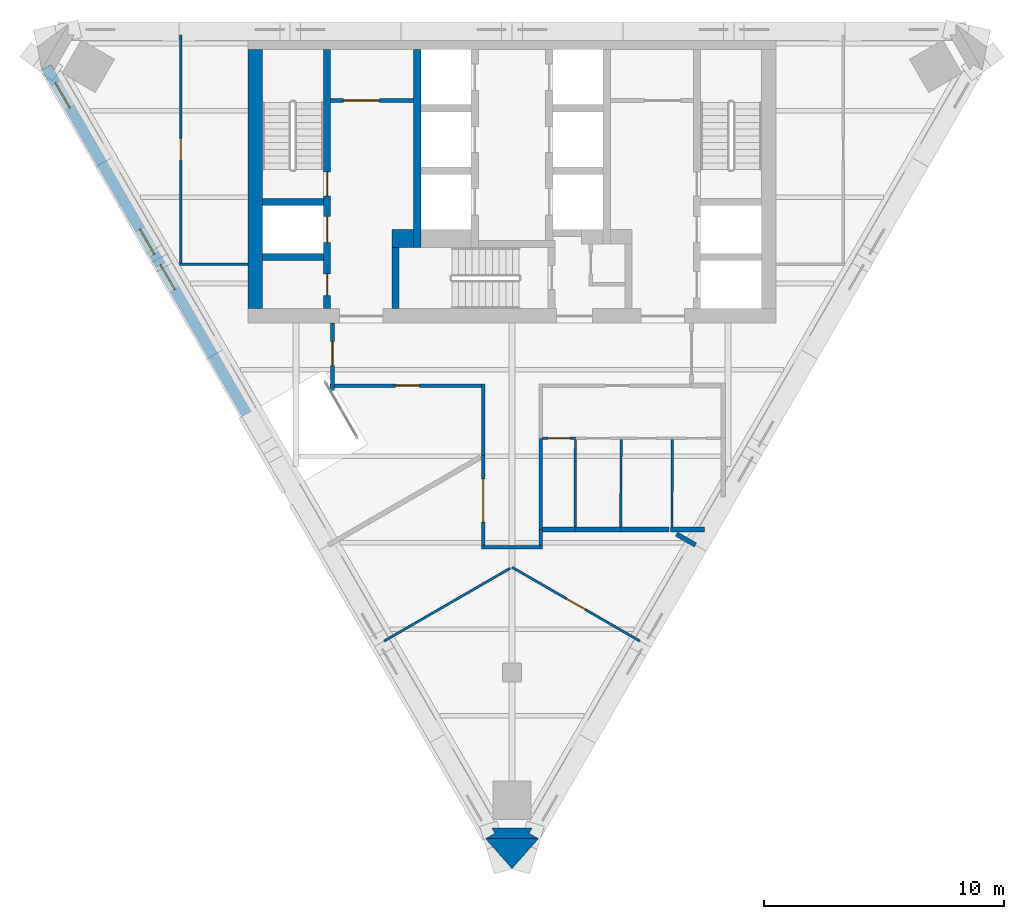
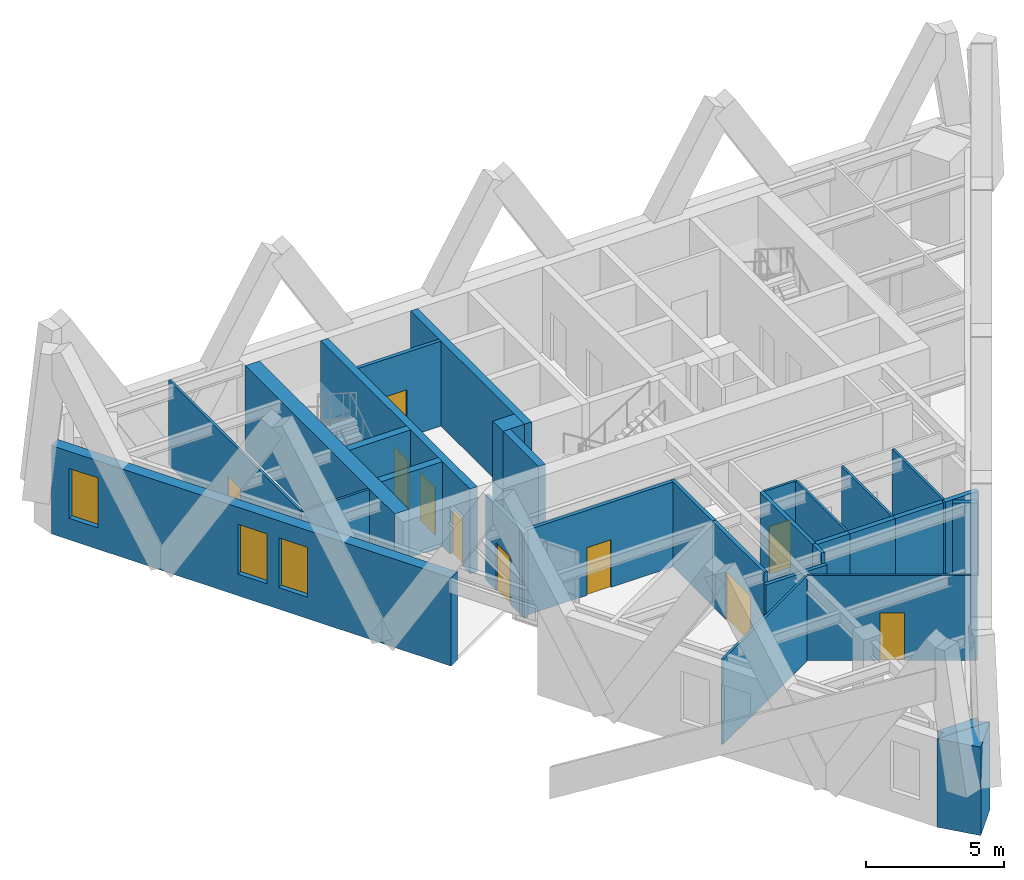
# One storey, part 4 of 8: 31 walls, 10 doors, 3 windows, 13 openings.
"""IFC4 building model written with IfcOpenShell, lengths in metres."""

import ifcopenshell
import ifcopenshell.guid

model = None  # the IFC model being written
_history = None  # IfcOwnerHistory: only IFC2X3 demands one
_inside = {}  # id of a spatial element -> (the spatial element, [elements in it])
_under = {}  # id of a project, library or spatial element -> (it, [spatial elements below it])
_declared = {}  # id of a project -> (the project, [libraries it declares])
_typed = {}  # id of a type object -> (the type object, [elements of that type])
_made_of = {}  # id of a material, layer set ... -> (it, [elements and type objects made of it])


def new_model(schema):
    """Start an empty IFC model of exactly this schema.

    Asked for "IFC4X3", IfcOpenShell would pick the latest addendum, in which some entities
    have other attributes; the version numbers below select the first issue.
    IFC2X3 requires an IfcOwnerHistory on every rooted entity: one is made here for all.
    """
    global model, _history
    if schema == "IFC4X3":
        model = ifcopenshell.file(schema_version=(4, 3, 0, 0))
    else:
        model = ifcopenshell.file(schema=schema)
    _inside.clear()
    _under.clear()
    _declared.clear()
    _typed.clear()
    _made_of.clear()
    _history = None
    if model.schema == "IFC2X3":
        org = make("IfcOrganization", Name="unknown")
        user = make(
            "IfcPersonAndOrganization",
            ThePerson=make("IfcPerson", FamilyName="unknown"),
            TheOrganization=org,
        )
        app = make(
            "IfcApplication",
            ApplicationDeveloper=org,
            Version="unknown",
            ApplicationFullName="unknown",
            ApplicationIdentifier="unknown",
        )
        _history = make(
            "IfcOwnerHistory",
            OwningUser=user,
            OwningApplication=app,
            ChangeAction="ADDED",
            CreationDate=0,
        )
    return model


def make(cls, **values):
    """One entity of the class cls with the attributes given. An attribute that is None is left unset."""
    return model.create_entity(
        cls, **{name: value for name, value in values.items() if value is not None}
    )


def rooted(cls, **values):
    """An entity with a GlobalId (a new one), such as an element, a storey or a relation."""
    return make(cls, GlobalId=ifcopenshell.guid.new(), OwnerHistory=_history, **values)


def si_unit(unit_type, name, prefix=None):
    """IfcSIUnit, for example si_unit("LENGTHUNIT", "METRE", prefix="MILLI")."""
    return make("IfcSIUnit", UnitType=unit_type, Prefix=prefix, Name=name)


def assignment(units):
    """IfcUnitAssignment: the units of a project."""
    return None if units is None else make("IfcUnitAssignment", Units=units)


def point(xyz):
    """IfcCartesianPoint."""
    return None if xyz is None else make("IfcCartesianPoint", Coordinates=xyz)


def direction(xyz):
    """IfcDirection."""
    return None if xyz is None else make("IfcDirection", DirectionRatios=xyz)


def frame(location, z_axis=None, x_axis=None):
    """IfcAxis2Placement3D, a coordinate frame: its origin and axes. An axis left out is left unset."""
    return make(
        "IfcAxis2Placement3D",
        Location=point(location),
        Axis=direction(z_axis),
        RefDirection=direction(x_axis),
    )


def frame_2d(location, x_axis=None):
    """IfcAxis2Placement2D, a coordinate frame in the plane: its origin and x axis."""
    return make(
        "IfcAxis2Placement2D", Location=point(location), RefDirection=direction(x_axis)
    )


def origin():
    """The frame at (0, 0, 0) with its axes left unset."""
    return frame((0.0, 0.0, 0.0))


def place(relative_to, where):
    """IfcLocalPlacement: puts the frame where relative to a parent placement (None: the world)."""
    return make(
        "IfcLocalPlacement", PlacementRelTo=relative_to, RelativePlacement=where
    )


def context(
    kind, dimensions, precision=None, world=None, true_north=None, identifier=None
):
    """IfcGeometricRepresentationContext, for example the 3D "Model" context."""
    return make(
        "IfcGeometricRepresentationContext",
        ContextIdentifier=identifier,
        ContextType=kind,
        CoordinateSpaceDimension=dimensions,
        Precision=precision,
        WorldCoordinateSystem=world,
        TrueNorth=true_north,
    )


def subcontext(parent, identifier, kind, view, scale=None):
    """IfcGeometricRepresentationSubContext, for example "Body" below "Model"."""
    return make(
        "IfcGeometricRepresentationSubContext",
        ContextIdentifier=identifier,
        ContextType=kind,
        ParentContext=parent,
        TargetScale=scale,
        TargetView=view,
    )


def project(units=None, contexts=None):
    """IfcProject with its units and contexts."""
    return rooted(
        "IfcProject",
        Name="project",
        RepresentationContexts=contexts,
        UnitsInContext=assignment(units),
    )


def spatial(cls, under=None, at=None, **own):
    """A site, building, storey or space (cls), placed at a placement, below another one or the project."""
    s = rooted(cls, ObjectPlacement=at, **own)
    if under is not None:
        _under.setdefault(under.id(), (under, []))[1].append(s)
    return s


def polyline(points):
    """IfcPolyline through the points."""
    return make("IfcPolyline", Points=[point(p) for p in points])


def profile(cls, at=None, kind="AREA", **sizes):
    """A parametric profile (cls). Its sizes go by their IFC names, for example OverallWidth=200.0."""
    return make(cls, ProfileType=kind, Position=at, **sizes)


def rectangle(**sizes):
    """IfcRectangleProfileDef."""
    return profile("IfcRectangleProfileDef", **sizes)


def outline(outer, holes=None, kind="AREA"):
    """IfcArbitraryClosedProfileDef: a profile drawn as a closed curve; with holes, ...WithVoids."""
    if holes is None:
        return make("IfcArbitraryClosedProfileDef", ProfileType=kind, OuterCurve=outer)
    return make(
        "IfcArbitraryProfileDefWithVoids",
        ProfileType=kind,
        OuterCurve=outer,
        InnerCurves=holes,
    )


def extrude(swept, where, along, depth):
    """IfcExtrudedAreaSolid: the profile swept, set in the frame where, extruded along a direction by depth."""
    return make(
        "IfcExtrudedAreaSolid",
        SweptArea=swept,
        Position=where,
        ExtrudedDirection=direction(along),
        Depth=depth,
    )


def shape(context_of_items, identifier, shape_type, items):
    """IfcShapeRepresentation: the items that make up one representation, for example the "Body"."""
    return make(
        "IfcShapeRepresentation",
        ContextOfItems=context_of_items,
        RepresentationIdentifier=identifier,
        RepresentationType=shape_type,
        Items=items,
    )


def material(Name=None, Category=None):
    """IfcMaterial."""
    return make("IfcMaterial", Name=Name, Category=Category)


def layer(
    of_material, thickness, ventilated=None, Name=None, Category=None, Priority=None
):
    """IfcMaterialLayer: one layer of a wall or slab, of a material (None: an air gap)."""
    return make(
        "IfcMaterialLayer",
        Material=of_material,
        LayerThickness=thickness,
        IsVentilated=ventilated,
        Name=Name,
        Category=Category,
        Priority=Priority,
    )


def layer_set(layers, Name=None):
    """IfcMaterialLayerSet."""
    return make("IfcMaterialLayerSet", MaterialLayers=layers, LayerSetName=Name)


def made_of(thing, what):
    """Note that an element or type object is made of a material, layer set ...; save() writes the relation."""
    if what is not None:
        _made_of.setdefault(what.id(), (what, []))[1].append(thing)
    return thing


def type_object(cls, material=None, **own):
    """A type object (cls), such as IfcWallType, which elements share."""
    return made_of(rooted(cls, **own), material)


def element(
    cls,
    number,
    at=None,
    inside=None,
    cuts=None,
    type_object=None,
    material=None,
    context=None,
    identifier="Body",
    shape_type=None,
    held_by="IfcProductDefinitionShape",
    body=None,
    shapes=None,
    **own,
):
    """One element of the class cls, such as IfcWall. Its Tag is "e" and its number.

    at: its placement. inside: the storey or other place that contains it. cuts: it is an
    opening in that element (IfcRelVoidsElement). A single representation is given by context,
    identifier, shape_type and body (its items); several are given by shapes. held_by: the class
    of the entity that holds the representations. save() writes the other relations.
    """
    e = rooted(cls, Tag="e%d" % number, ObjectPlacement=at, **own)
    if body is not None:
        shapes = [shape(context, identifier, shape_type, body)]
    if shapes is not None:
        e.Representation = make(held_by, Representations=shapes)
    if inside is not None:
        _inside.setdefault(inside.id(), (inside, []))[1].append(e)
    if cuts is not None:
        rooted(
            "IfcRelVoidsElement", RelatingBuildingElement=cuts, RelatedOpeningElement=e
        )
    if type_object is not None:
        _typed.setdefault(type_object.id(), (type_object, []))[1].append(e)
    return made_of(e, material)


def fill(opening, filler):
    """IfcRelFillsElement: the door or window that sits in an opening."""
    return rooted(
        "IfcRelFillsElement",
        RelatingOpeningElement=opening,
        RelatedBuildingElement=filler,
    )


def aggregate(whole, parts):
    """IfcRelAggregates: a whole, such as a stair, and the parts it consists of."""
    return rooted("IfcRelAggregates", RelatingObject=whole, RelatedObjects=parts)


def save(model, path):
    """Write the relations noted so far, then the file.

    IfcRelAggregates (storeys below a building ...), IfcRelContainedInSpatialStructure (elements
    in a storey), IfcRelDefinesByType, IfcRelAssociatesMaterial and IfcRelDeclares: one each for
    every whole, place, type object, material and project.
    """
    for whole, parts in _under.values():
        aggregate(whole, parts)
    for where, things in _inside.values():
        rooted(
            "IfcRelContainedInSpatialStructure",
            RelatedElements=things,
            RelatingStructure=where,
        )
    for kind, things in _typed.values():
        rooted("IfcRelDefinesByType", RelatedObjects=things, RelatingType=kind)
    for what, things in _made_of.values():
        rooted("IfcRelAssociatesMaterial", RelatedObjects=things, RelatingMaterial=what)
    for by, libraries in _declared.values():
        rooted("IfcRelDeclares", RelatingContext=by, RelatedDefinitions=libraries)
    model.write(path)


model = new_model("IFC4")

# Units and contexts
model_context = context("Model", 3, precision=1e-05, world=origin(), true_north=direction((0.0, 1.0)))
body_context = subcontext(model_context, "Body", "Model", "MODEL_VIEW")
ifc_project = project(units=[si_unit("LENGTHUNIT", "METRE"), si_unit("AREAUNIT", "SQUARE_METRE"), si_unit("VOLUMEUNIT", "CUBIC_METRE"), si_unit("PLANEANGLEUNIT", "RADIAN"), si_unit("MASSUNIT", "GRAM", prefix="KILO")], contexts=[model_context])

# Site, building, storey
site_placement = place(None, origin())
site = spatial("IfcSite", under=ifc_project, at=site_placement, CompositionType="ELEMENT")
building_placement = place(site_placement, origin())
building = spatial("IfcBuilding", under=site, at=building_placement, Name="Aloe Facet Convention Tower", CompositionType="ELEMENT")
storey_placement = place(building_placement, frame((0.0, 0.0, 262.10009765625)))
storey = spatial("IfcBuildingStorey", under=building, at=storey_placement, Name="L64", CompositionType="ELEMENT", Elevation=262.10009765625)

# Wall, opening, door
ifc_material_1 = material(Name="Concrete blockwork partition", Category="masonry")
ifc_layer_1 = layer(ifc_material_1, 0.14990234375)
ifc_layer_set_1 = layer_set([ifc_layer_1], Name="CR-W-PART150")
wall_type_1 = type_object("IfcWallType", Name="CR-W-PART150", PredefinedType="PARTITIONING", material=ifc_layer_set_1)
wall_1_placement = place(storey_placement, frame((72.449951171875, 131.824951171875, 0.0), z_axis=(0.0, 0.0, 1.0), x_axis=(1.0, 0.0, 0.0)))
wall_1 = element("IfcWall", 1, at=wall_1_placement, inside=storey, type_object=wall_type_1, Name="Core partition L64-007", PredefinedType="PARTITIONING", context=body_context, shape_type="SweptSolid", body=[
    extrude(rectangle(XDim=3.449951171875, YDim=0.14990234375, at=frame_2d((1.72509765625, 0.0))), origin(), (0.0, 0.0, 1.0), 3.75),
])
opening_1_placement = place(wall_1_placement, frame((0.52490234375, 0.0, 0.0)))
opening_1 = element("IfcOpeningElement", 2, at=opening_1_placement, cuts=wall_1, Name="Opening L64-CD14", PredefinedType="OPENING", context=body_context, shape_type="SweptSolid", body=[
    extrude(rectangle(XDim=1.5, YDim=2.10009765625, at=frame_2d((0.75, 1.050048828125))), frame((0.0, 0.0849609375, 0.0), z_axis=(0.0, -1.0, 0.0), x_axis=(1.0, 0.0, 0.0)), (0.0, 0.0, 1.0), 0.169921875),
])
ifc_material_2 = material(Name="Steel fire-resisting door set FD60", Category="steel")
door_type_1 = type_object("IfcDoorType", Name="CR-D-REFUGE-1500-FD60-DD", OperationType="DOUBLE_DOOR_DOUBLE_SWING", PredefinedType="DOOR", material=ifc_material_2)
door_1_placement = place(opening_1_placement, origin())
door_1 = element("IfcDoor", 3, at=door_1_placement, inside=storey, type_object=door_type_1, Name="Core door L64-CD14", OperationType="DOUBLE_DOOR_DOUBLE_SWING", OverallHeight=2.10009765625, OverallWidth=1.5, PredefinedType="DOOR", context=body_context, shape_type="SweptSolid", body=[
    extrude(rectangle(XDim=1.5, YDim=2.10009765625, at=frame_2d((0.75, 1.050048828125))), frame((0.0, 0.02490234375, 0.0), z_axis=(0.0, -1.0, 0.0), x_axis=(1.0, 0.0, 0.0)), (0.0, 0.0, 1.0), 0.050048828125),
])
fill(opening_1, door_1)

# Walls
ifc_material_3 = material(Name="Concrete C50/60", Category="concrete")
ifc_layer_2 = layer(ifc_material_3, 0.300048828125)
ifc_layer_set_2 = layer_set([ifc_layer_2], Name="CR-W-RC300-C5060")
wall_type_2 = type_object("IfcWallType", Name="CR-W-RC300-C5060", PredefinedType="SOLIDWALL", material=ifc_layer_set_2)
for number, where, z_axis, x_axis, name in (
    (4, (69.60009765625, 127.60009765625, 0.0), (0.0, 0.0, 1.0), (1.0, 0.0, 0.0), "Core wall L64-004"),
    (5, (69.60009765625, 125.300048828125, 0.0), (0.0, 0.0, 1.0), (1.0, 0.0, 0.0), "Core wall L64-005"),
):
    element("IfcWall", number, at=place(storey_placement, frame(where, z_axis=z_axis, x_axis=x_axis)), inside=storey, type_object=wall_type_2, Name=name, PredefinedType="SOLIDWALL", context=body_context, shape_type="SweptSolid", body=[
        extrude(rectangle(XDim=2.5498046875, YDim=0.300048828125, at=frame_2d((1.27490234375, 0.0))), origin(), (0.0, 0.0, 1.0), 3.75),
    ])

# Wall, openings, doors
wall_2_placement = place(storey_placement, frame((72.300048828125, 133.949951171875, 0.0), z_axis=(0.0, 0.0, 1.0), x_axis=(0.0, -1.0, 0.0)))
wall_2 = element("IfcWall", 6, at=wall_2_placement, inside=storey, type_object=wall_type_2, Name="Core wall L64-006", PredefinedType="SOLIDWALL", context=body_context, shape_type="SweptSolid", body=[
    extrude(rectangle(XDim=10.800048828125, YDim=0.300048828125, at=frame_2d((5.39990234375, 0.0))), origin(), (0.0, 0.0, 1.0), 3.75),
])
opening_2_placement = place(wall_2_placement, frame((6.949951171875, 0.0, 0.0)))
opening_2 = element("IfcOpeningElement", 7, at=opening_2_placement, cuts=wall_2, Name="Opening LD-FF1-L64", PredefinedType="OPENING", context=body_context, shape_type="SweptSolid", body=[
    extrude(rectangle(XDim=1.10009765625, YDim=2.10009765625, at=frame_2d((0.550048828125, 1.050048828125))), frame((0.0, 0.16015625, 0.0), z_axis=(0.0, -1.0, 0.0), x_axis=(1.0, 0.0, 0.0)), (0.0, 0.0, 1.0), 0.320068359375),
])
opening_3_placement = place(wall_2_placement, frame((9.35009765625, 0.0, 0.0)))
opening_3 = element("IfcOpeningElement", 8, at=opening_3_placement, cuts=wall_2, Name="Opening L64-CD15", PredefinedType="OPENING", context=body_context, shape_type="SweptSolid", body=[
    extrude(rectangle(XDim=0.89990234375, YDim=2.10009765625, at=frame_2d((0.449951171875, 1.050048828125))), frame((0.0, 0.16015625, 0.0), z_axis=(0.0, -1.0, 0.0), x_axis=(1.0, 0.0, 0.0)), (0.0, 0.0, 1.0), 0.320068359375),
])
opening_4_placement = place(wall_2_placement, frame((5.10009765625, 0.0, 0.0)))
opening_4 = element("IfcOpeningElement", 9, at=opening_4_placement, cuts=wall_2, Name="Opening L64-CD16", PredefinedType="OPENING", context=body_context, shape_type="SweptSolid", body=[
    extrude(rectangle(XDim=1.0, YDim=2.10009765625, at=frame_2d((0.5, 1.050048828125))), frame((0.0, 0.16015625, 0.0), z_axis=(0.0, -1.0, 0.0), x_axis=(1.0, 0.0, 0.0)), (0.0, 0.0, 1.0), 0.320068359375),
])
ifc_material_4 = material(Name="Steel fire-resisting door set FD60", Category="steel")
door_type_2 = type_object("IfcDoorType", Name="CR-D-ROOM-900-FD60-SLEFT", OperationType="SINGLE_SWING_LEFT", PredefinedType="DOOR", material=ifc_material_4)
door_2_placement = place(opening_3_placement, origin())
door_2 = element("IfcDoor", 10, at=door_2_placement, inside=storey, type_object=door_type_2, Name="Core door L64-CD15", OperationType="SINGLE_SWING_LEFT", OverallHeight=2.10009765625, OverallWidth=0.89990234375, PredefinedType="DOOR", context=body_context, shape_type="SweptSolid", body=[
    extrude(rectangle(XDim=0.89990234375, YDim=2.10009765625, at=frame_2d((0.449951171875, 1.050048828125))), frame((0.0, 0.02490234375, 0.0), z_axis=(0.0, -1.0, 0.0), x_axis=(1.0, 0.0, 0.0)), (0.0, 0.0, 1.0), 0.050048828125),
])
fill(opening_3, door_2)
ifc_material_5 = material(Name="Steel fire-resisting door set FD120", Category="steel")
door_type_3 = type_object("IfcDoorType", Name="CR-D-STAIR-1000-FD120-SRIGHT", OperationType="SINGLE_SWING_RIGHT", PredefinedType="DOOR", material=ifc_material_5)
door_3_placement = place(opening_4_placement, origin())
door_3 = element("IfcDoor", 11, at=door_3_placement, inside=storey, type_object=door_type_3, Name="Core door L64-CD16", OperationType="SINGLE_SWING_RIGHT", OverallHeight=2.10009765625, OverallWidth=1.0, PredefinedType="DOOR", context=body_context, shape_type="SweptSolid", body=[
    extrude(rectangle(XDim=1.0, YDim=2.10009765625, at=frame_2d((0.5, 1.050048828125))), frame((0.0, 0.02490234375, 0.0), z_axis=(0.0, -1.0, 0.0), x_axis=(1.0, 0.0, 0.0)), (0.0, 0.0, 1.0), 0.050048828125),
])
fill(opening_4, door_3)
ifc_material_6 = material(Name="Stainless steel sliding landing door", Category="steel")
door_type_4 = type_object("IfcDoorType", Name="CR-LD-1100-FD120-_LEFT", OperationType="SLIDING_TO_LEFT", PredefinedType="DOOR", material=ifc_material_6)
door_4_placement = place(opening_2_placement, origin())
door_4 = element("IfcDoor", 12, at=door_4_placement, inside=storey, type_object=door_type_4, Name="Landing door FF1 L64", OperationType="SLIDING_TO_LEFT", OverallHeight=2.10009765625, OverallWidth=1.10009765625, PredefinedType="DOOR", context=body_context, shape_type="SweptSolid", body=[
    extrude(rectangle(XDim=1.10009765625, YDim=2.10009765625, at=frame_2d((0.550048828125, 1.050048828125))), frame((0.0, 0.02490234375, 0.0), z_axis=(0.0, -1.0, 0.0), x_axis=(1.0, 0.0, 0.0)), (0.0, 0.0, 1.0), 0.050048828125),
])
fill(opening_2, door_4)

# Walls
wall_3_placement = place(storey_placement, frame((75.14990234375, 125.699951171875, 0.0), z_axis=(0.0, 0.0, 1.0), x_axis=(0.0, -1.0, 0.0)))
element("IfcWall", 13, at=wall_3_placement, inside=storey, type_object=wall_type_2, Name="Core wall L64-009", PredefinedType="SOLIDWALL", context=body_context, shape_type="SweptSolid", body=[
    extrude(rectangle(XDim=2.550048828125, YDim=0.300048828125, at=frame_2d((1.27490234375, 0.0))), origin(), (0.0, 0.0, 1.0), 3.75),
])
wall_4_placement = place(storey_placement, frame((76.050048828125, 133.949951171875, 0.0), z_axis=(0.0, 0.0, 1.0), x_axis=(0.0, -1.0, 0.0)))
element("IfcWall", 14, at=wall_4_placement, inside=storey, type_object=wall_type_2, Name="Core wall L64-010", PredefinedType="SOLIDWALL", context=body_context, shape_type="SweptSolid", body=[
    extrude(rectangle(XDim=8.25, YDim=0.300048828125, at=frame_2d((4.125, 0.0))), origin(), (0.0, 0.0, 1.0), 3.75),
])
ifc_material_7 = material(Name="Concrete C50/60", Category="concrete")
ifc_layer_3 = layer(ifc_material_7, 0.60009765625)
ifc_layer_set_3 = layer_set([ifc_layer_3], Name="CR-W-RC600-C5060")
wall_type_3 = type_object("IfcWallType", Name="CR-W-RC600-C5060", PredefinedType="SOLIDWALL", material=ifc_layer_set_3)
wall_5_placement = place(storey_placement, frame((69.300048828125, 133.949951171875, 0.0), z_axis=(0.0, 0.0, 1.0), x_axis=(0.0, -1.0, 0.0)))
element("IfcWall", 15, at=wall_5_placement, inside=storey, type_object=wall_type_3, Name="Core wall L64-002", PredefinedType="SOLIDWALL", context=body_context, shape_type="SweptSolid", body=[
    extrude(rectangle(XDim=10.800048828125, YDim=0.60009765625, at=frame_2d((5.39990234375, 0.0))), origin(), (0.0, 0.0, 1.0), 3.75),
])
ifc_material_8 = material(Name="Concrete C50/60", Category="concrete")
ifc_layer_4 = layer(ifc_material_8, 0.75)
ifc_layer_set_4 = layer_set([ifc_layer_4], Name="CR-W-RC750-C5060")
wall_type_4 = type_object("IfcWallType", Name="CR-W-RC750-C5060", PredefinedType="SOLIDWALL", material=ifc_layer_set_4)
wall_6_placement = place(storey_placement, frame((75.0, 126.074951171875, 0.0), z_axis=(0.0, 0.0, 1.0), x_axis=(1.0, 0.0, 0.0)))
element("IfcWall", 16, at=wall_6_placement, inside=storey, type_object=wall_type_4, Name="Core wall L64-008", PredefinedType="SOLIDWALL", context=body_context, shape_type="SweptSolid", body=[
    extrude(rectangle(XDim=0.89990234375, YDim=0.75, at=frame_2d((0.449951171875, 0.0))), origin(), (0.0, 0.0, 1.0), 3.75),
])
ifc_material_9 = material(Name="Precast concrete C40/50", Category="concrete")
ifc_layer_5 = layer(ifc_material_9, 0.449951171875)
ifc_layer_set_5 = layer_set([ifc_layer_5], Name="EV-WALL-PIER")
wall_type_5 = type_object("IfcWallType", Name="EV-WALL-PIER", PredefinedType="SOLIDWALL", material=ifc_layer_set_5)
wall_7_placement = place(storey_placement, frame((0.0, 0.0, -0.150146484375)))
element("IfcWall", 17, at=wall_7_placement, inside=storey, type_object=wall_type_5, Name="EP-L64-B", PredefinedType="SOLIDWALL", context=body_context, shape_type="SweptSolid", body=[
    extrude(outline(polyline([(78.89990234375, 101.07568359375), (79.289794921875, 101.30078125), (79.159912109375, 101.52587890625), (80.840087890625, 101.52587890625), (80.710205078125, 101.30078125), (81.10009765625, 101.07568359375), (78.89990234375, 101.07568359375)])), origin(), (0.0, 0.0, 1.0), 3.900146484375),
])
ifc_material_10 = material(Name="Precast concrete C40/50", Category="concrete")
ifc_layer_6 = layer(ifc_material_10, 3.947998046875)
ifc_layer_set_6 = layer_set([ifc_layer_6], Name="EV-WALL-SPINE")
wall_type_6 = type_object("IfcWallType", Name="EV-WALL-SPINE", PredefinedType="SOLIDWALL", material=ifc_layer_set_6)
wall_8_placement = place(storey_placement, frame((0.0, 0.0, -0.150146484375)))
element("IfcWall", 18, at=wall_8_placement, inside=storey, type_object=wall_type_6, Name="SP-S-L64", PredefinedType="SOLIDWALL", context=body_context, shape_type="SweptSolid", body=[
    extrude(outline(polyline([(78.89990234375, 101.07568359375), (80.0, 99.826416015625), (81.10009765625, 101.07568359375), (78.89990234375, 101.07568359375)])), origin(), (0.0, 0.0, 1.0), 3.900146484375),
])

# Wall, openings, windows
ifc_material_11 = material(Name="Precast concrete C40/50", Category="concrete")
ifc_layer_7 = layer(ifc_material_11, 0.449951171875)
ifc_layer_set_7 = layer_set([ifc_layer_7], Name="EV-WALL-STONE")
wall_type_7 = type_object("IfcWallType", Name="EV-WALL-STONE", PredefinedType="SOLIDWALL", material=ifc_layer_set_7)
wall_9_placement = place(storey_placement, frame((60.608642578125, 133.207275390625, -0.150146484375), z_axis=(0.0, 0.0, 1.0), x_axis=(0.499996022837, -0.866027699989, 0.0)))
wall_9 = element("IfcWall", 19, at=wall_9_placement, inside=storey, type_object=wall_type_7, Name="EW-L64-W01", PredefinedType="SOLIDWALL", context=body_context, shape_type="SweptSolid", body=[
    extrude(outline(polyline([(0.0, 0.0), (0.0, 3.900146484375), (16.68603515625, 3.900146484375), (16.68603515625, 0.0), (0.0, 0.0)])), frame((0.0, 0.22509765625, 0.0), z_axis=(0.0, -1.0, 0.0), x_axis=(1.0, 0.0, 0.0)), (0.0, 0.0, 1.0), 0.449951171875),
])
opening_5_placement = place(wall_9_placement, frame((0.744140625, 0.0, 0.949951171875)))
opening_5 = element("IfcOpeningElement", 20, at=opening_5_placement, cuts=wall_9, Name="Opening W-L64-W01", PredefinedType="OPENING", context=body_context, shape_type="SweptSolid", body=[
    extrude(rectangle(XDim=1.199951171875, YDim=2.199951171875, at=frame_2d((0.60009765625, 1.10009765625))), frame((0.0, 0.23486328125, 0.0), z_axis=(0.0, -1.0, 0.0), x_axis=(1.0, 0.0, 0.0)), (0.0, 0.0, 1.0), 0.469970703125),
])
opening_6_placement = place(wall_9_placement, frame((7.79296875, 0.0, 0.949951171875)))
opening_6 = element("IfcOpeningElement", 21, at=opening_6_placement, cuts=wall_9, Name="Opening W-L64-W02", PredefinedType="OPENING", context=body_context, shape_type="SweptSolid", body=[
    extrude(rectangle(XDim=1.199951171875, YDim=2.199951171875, at=frame_2d((0.60009765625, 1.10009765625))), frame((0.0, 0.23486328125, 0.0), z_axis=(0.0, -1.0, 0.0), x_axis=(1.0, 0.0, 0.0)), (0.0, 0.0, 1.0), 0.469970703125),
])
opening_7_placement = place(wall_9_placement, frame((9.4931640625, 0.0, 0.949951171875)))
opening_7 = element("IfcOpeningElement", 22, at=opening_7_placement, cuts=wall_9, Name="Opening W-L64-W03", PredefinedType="OPENING", context=body_context, shape_type="SweptSolid", body=[
    extrude(rectangle(XDim=1.199951171875, YDim=2.199951171875, at=frame_2d((0.60009765625, 1.10009765625))), frame((0.0, 0.23486328125, 0.0), z_axis=(0.0, -1.0, 0.0), x_axis=(1.0, 0.0, 0.0)), (0.0, 0.0, 1.0), 0.469970703125),
])
ifc_material_12 = material(Name="Aluminium frame, clear double glazing", Category="aluminium")
window_type = type_object("IfcWindowType", Name="EV-WIN-O12", PartitioningType="SINGLE_PANEL", PredefinedType="WINDOW", material=ifc_material_12)
window_1_placement = place(opening_5_placement, origin())
window_1 = element("IfcWindow", 23, at=window_1_placement, inside=storey, type_object=window_type, Name="W-L64-W01", OverallHeight=2.199951171875, OverallWidth=1.199951171875, PartitioningType="SINGLE_PANEL", PredefinedType="WINDOW", context=body_context, shape_type="SweptSolid", body=[
    extrude(rectangle(XDim=1.199951171875, YDim=2.199951171875, at=frame_2d((0.60009765625, 1.10009765625))), frame((0.0, 0.030029296875, 0.0), z_axis=(0.0, -1.0, 0.0), x_axis=(1.0, 0.0, 0.0)), (0.0, 0.0, 1.0), 0.06005859375),
])
fill(opening_5, window_1)
window_2_placement = place(opening_6_placement, origin())
window_2 = element("IfcWindow", 24, at=window_2_placement, inside=storey, type_object=window_type, Name="W-L64-W02", OverallHeight=2.199951171875, OverallWidth=1.199951171875, PartitioningType="SINGLE_PANEL", PredefinedType="WINDOW", context=body_context, shape_type="SweptSolid", body=[
    extrude(rectangle(XDim=1.199951171875, YDim=2.199951171875, at=frame_2d((0.60009765625, 1.10009765625))), frame((0.0, 0.030029296875, 0.0), z_axis=(0.0, -1.0, 0.0), x_axis=(1.0, 0.0, 0.0)), (0.0, 0.0, 1.0), 0.06005859375),
])
fill(opening_6, window_2)
window_3_placement = place(opening_7_placement, origin())
window_3 = element("IfcWindow", 25, at=window_3_placement, inside=storey, type_object=window_type, Name="W-L64-W03", OverallHeight=2.199951171875, OverallWidth=1.199951171875, PartitioningType="SINGLE_PANEL", PredefinedType="WINDOW", context=body_context, shape_type="SweptSolid", body=[
    extrude(rectangle(XDim=1.199951171875, YDim=2.199951171875, at=frame_2d((0.60009765625, 1.10009765625))), frame((0.0, 0.030029296875, 0.0), z_axis=(0.0, -1.0, 0.0), x_axis=(1.0, 0.0, 0.0)), (0.0, 0.0, 1.0), 0.06005859375),
])
fill(opening_7, window_3)

# Walls
ifc_material_13 = material(Name="Gypsum board partition on steel studs", Category="steel")
ifc_layer_8 = layer(ifc_material_13, 0.14990234375)
ifc_layer_set_8 = layer_set([ifc_layer_8], Name="IN-W-CORR")
wall_type_8 = type_object("IfcWallType", Name="IN-W-CORR", PredefinedType="PARTITIONING", material=ifc_layer_set_8)
wall_10_placement = place(storey_placement, frame((78.72509765625, 113.220458984375, 0.0), z_axis=(0.0, 0.0, 1.0), x_axis=(1.0, 0.0, 0.0)))
element("IfcWall", 26, at=wall_10_placement, inside=storey, type_object=wall_type_8, Name="Partition L64-W003", PredefinedType="PARTITIONING", context=body_context, shape_type="SweptSolid", body=[
    extrude(rectangle(XDim=2.5498046875, YDim=0.14990234375, at=frame_2d((1.27490234375, 0.0))), origin(), (0.0, 0.0, 1.0), 3.27978515625),
])
wall_11_placement = place(storey_placement, frame((81.199951171875, 113.29541015625, 0.0), z_axis=(0.0, 0.0, 1.0), x_axis=(0.0, 1.0, 0.0)))
element("IfcWall", 27, at=wall_11_placement, inside=storey, type_object=wall_type_8, Name="Partition L64-W004", PredefinedType="PARTITIONING", context=body_context, shape_type="SweptSolid", body=[
    extrude(rectangle(XDim=0.654541015625, YDim=0.14990234375, at=frame_2d((0.3271484375, 0.0))), origin(), (0.0, 0.0, 1.0), 3.75),
])
wall_12_placement = place(storey_placement, frame((78.800048828125, 117.027587890625, 0.0), z_axis=(0.0, 0.0, 1.0), x_axis=(0.0, 1.0, 0.0)))
element("IfcWall", 28, at=wall_12_placement, inside=storey, type_object=wall_type_8, Name="Partition L64-W013", PredefinedType="PARTITIONING", context=body_context, shape_type="SweptSolid", body=[
    extrude(rectangle(XDim=2.997314453125, YDim=0.14990234375, at=frame_2d((1.49853515625, 0.0))), origin(), (0.0, 0.0, 1.0), 3.75),
])

# Wall, opening, door
wall_13_placement = place(storey_placement, frame((78.800048828125, 113.29541015625, 0.0), z_axis=(0.0, 0.0, 1.0), x_axis=(0.0, 1.0, 0.0)))
wall_13 = element("IfcWall", 29, at=wall_13_placement, inside=storey, type_object=wall_type_8, Name="Partition L64-W014", PredefinedType="PARTITIONING", context=body_context, shape_type="SweptSolid", body=[
    extrude(rectangle(XDim=3.732177734375, YDim=0.14990234375, at=frame_2d((1.8662109375, 0.0))), origin(), (0.0, 0.0, 1.0), 3.75),
])
opening_8_placement = place(wall_13_placement, frame((0.966064453125, 0.0, 0.0)))
opening_8 = element("IfcOpeningElement", 30, at=opening_8_placement, cuts=wall_13, Name="Opening L64-012", PredefinedType="OPENING", context=body_context, shape_type="SweptSolid", body=[
    extrude(rectangle(XDim=1.800048828125, YDim=2.10009765625, at=frame_2d((0.89990234375, 1.050048828125))), frame((0.0, 0.0849609375, 0.0), z_axis=(0.0, -1.0, 0.0), x_axis=(1.0, 0.0, 0.0)), (0.0, 0.0, 1.0), 0.169921875),
])
ifc_material_14 = material(Name="Glazed timber door pair FD30S", Category="wood")
door_type_5 = type_object("IfcDoorType", Name="IN-OFF-D-SUITE", OperationType="DOUBLE_DOOR_SINGLE_SWING", PredefinedType="DOOR", material=ifc_material_14)
door_5_placement = place(opening_8_placement, origin())
door_5 = element("IfcDoor", 31, at=door_5_placement, inside=storey, type_object=door_type_5, Name="Door L64-012", OperationType="SINGLE_SWING_LEFT", OverallHeight=2.10009765625, OverallWidth=1.800048828125, PredefinedType="DOOR", context=body_context, shape_type="SweptSolid", body=[
    extrude(rectangle(XDim=1.800048828125, YDim=2.10009765625, at=frame_2d((0.89990234375, 1.050048828125))), frame((0.0, 0.02490234375, 0.0), z_axis=(0.0, -1.0, 0.0), x_axis=(1.0, 0.0, 0.0)), (0.0, 0.0, 1.0), 0.050048828125),
])
fill(opening_8, door_5)

# Wall
wall_14_placement = place(storey_placement, frame((81.199951171875, 113.949951171875, 0.0), z_axis=(0.0, 0.0, 1.0), x_axis=(0.0, 1.0, 0.0)))
element("IfcWall", 32, at=wall_14_placement, inside=storey, type_object=wall_type_8, Name="Partition L64-W023", PredefinedType="PARTITIONING", context=body_context, shape_type="SweptSolid", body=[
    extrude(rectangle(XDim=3.800048828125, YDim=0.14990234375, at=frame_2d((1.89990234375, 0.0))), origin(), (0.0, 0.0, 1.0), 3.75),
])

# Wall, opening, door
wall_15_placement = place(storey_placement, frame((72.41650390625, 119.949951171875, 0.0), z_axis=(0.0, 0.0, 1.0), x_axis=(1.0, 0.0, 0.0)))
wall_15 = element("IfcWall", 33, at=wall_15_placement, inside=storey, type_object=wall_type_8, Name="Partition L64-W024", PredefinedType="PARTITIONING", context=body_context, shape_type="SweptSolid", body=[
    extrude(rectangle(XDim=6.30859375, YDim=0.14990234375, at=frame_2d((3.154296875, 0.0))), origin(), (0.0, 0.0, 1.0), 3.75),
])
opening_9_placement = place(wall_15_placement, frame((2.72802734375, 0.0, 0.0)))
opening_9 = element("IfcOpeningElement", 34, at=opening_9_placement, cuts=wall_15, Name="Opening L64-009", PredefinedType="OPENING", context=body_context, shape_type="SweptSolid", body=[
    extrude(rectangle(XDim=1.0, YDim=2.10009765625, at=frame_2d((0.5, 1.050048828125))), frame((0.0, 0.0849609375, 0.0), z_axis=(0.0, -1.0, 0.0), x_axis=(1.0, 0.0, 0.0)), (0.0, 0.0, 1.0), 0.169921875),
])
ifc_material_15 = material(Name="Timber door FD30S with vision panel", Category="wood")
door_type_6 = type_object("IfcDoorType", Name="IN-OFF-D-ENTRY", OperationType="SINGLE_SWING_LEFT", PredefinedType="DOOR", material=ifc_material_15)
door_6_placement = place(opening_9_placement, origin())
door_6 = element("IfcDoor", 35, at=door_6_placement, inside=storey, type_object=door_type_6, Name="Door L64-009", OperationType="SINGLE_SWING_LEFT", OverallHeight=2.10009765625, OverallWidth=1.0, PredefinedType="DOOR", context=body_context, shape_type="SweptSolid", body=[
    extrude(rectangle(XDim=1.0, YDim=2.10009765625, at=frame_2d((0.5, 1.050048828125))), frame((0.0, 0.02490234375, 0.0), z_axis=(0.0, -1.0, 0.0), x_axis=(1.0, 0.0, 0.0)), (0.0, 0.0, 1.0), 0.050048828125),
])
fill(opening_9, door_6)

wall_16_placement = place(storey_placement, frame((72.52490234375, 119.74755859375, 0.0), z_axis=(0.0, 0.0, 1.0), x_axis=(0.0, 1.0, 0.0)))
wall_16 = element("IfcWall", 36, at=wall_16_placement, inside=storey, type_object=wall_type_8, Name="Partition L64-W029", PredefinedType="PARTITIONING", context=body_context, shape_type="SweptSolid", body=[
    extrude(rectangle(XDim=2.802490234375, YDim=0.14990234375, at=frame_2d((1.4013671875, 0.0))), origin(), (0.0, 0.0, 1.0), 3.75),
])
opening_10_placement = place(wall_16_placement, frame((1.0361328125, 0.0, 0.0)))
opening_10 = element("IfcOpeningElement", 37, at=opening_10_placement, cuts=wall_16, Name="Opening L64-008", PredefinedType="OPENING", context=body_context, shape_type="SweptSolid", body=[
    extrude(rectangle(XDim=1.0, YDim=2.10009765625, at=frame_2d((0.5, 1.050048828125))), frame((0.0, 0.0849609375, 0.0), z_axis=(0.0, -1.0, 0.0), x_axis=(1.0, 0.0, 0.0)), (0.0, 0.0, 1.0), 0.169921875),
])
door_7_placement = place(opening_10_placement, origin())
door_7 = element("IfcDoor", 38, at=door_7_placement, inside=storey, type_object=door_type_6, Name="Door L64-008", OperationType="SINGLE_SWING_LEFT", OverallHeight=2.10009765625, OverallWidth=1.0, PredefinedType="DOOR", context=body_context, shape_type="SweptSolid", body=[
    extrude(rectangle(XDim=1.0, YDim=2.10009765625, at=frame_2d((0.5, 1.050048828125))), frame((0.0, 0.02490234375, 0.0), z_axis=(0.0, -1.0, 0.0), x_axis=(1.0, 0.0, 0.0)), (0.0, 0.0, 1.0), 0.050048828125),
])
fill(opening_10, door_7)

ifc_material_16 = material(Name="Gypsum board partition on steel studs", Category="steel")
ifc_layer_9 = layer(ifc_material_16, 0.10009765625)
ifc_layer_set_9 = layer_set([ifc_layer_9], Name="IN-W-PART")
wall_type_9 = type_object("IfcWallType", Name="IN-W-PART", PredefinedType="PARTITIONING", material=ifc_layer_set_9)
wall_17_placement = place(storey_placement, frame((80.0, 112.3837890625, 0.0), z_axis=(0.0, 0.0, 1.0), x_axis=(0.866021154418, -0.500007360046, 0.0)))
wall_17 = element("IfcWall", 39, at=wall_17_placement, inside=storey, type_object=wall_type_9, Name="Partition L64-W001", PredefinedType="PARTITIONING", context=body_context, shape_type="SweptSolid", body=[
    extrude(rectangle(XDim=6.15673828125, YDim=0.10009765625, at=frame_2d((3.078369140625, 0.0))), origin(), (0.0, 0.0, 1.0), 3.75),
])
opening_11_placement = place(wall_17_placement, frame((2.62841796875, 0.0, 0.0)))
opening_11 = element("IfcOpeningElement", 40, at=opening_11_placement, cuts=wall_17, Name="Opening L64-011", PredefinedType="OPENING", context=body_context, shape_type="SweptSolid", body=[
    extrude(rectangle(XDim=0.89990234375, YDim=2.10009765625, at=frame_2d((0.449951171875, 1.050048828125))), frame((0.0, 0.06005859375, 0.0), z_axis=(0.0, -1.0, 0.0), x_axis=(1.0, 0.0, 0.0)), (0.0, 0.0, 1.0), 0.1201171875),
])
ifc_material_17 = material(Name="Timber door", Category="wood")
door_type_7 = type_object("IfcDoorType", Name="IN-OFF-D-ROOM", OperationType="SINGLE_SWING_LEFT", PredefinedType="DOOR", material=ifc_material_17)
door_8_placement = place(opening_11_placement, origin())
door_8 = element("IfcDoor", 41, at=door_8_placement, inside=storey, type_object=door_type_7, Name="Door L64-011", OperationType="SINGLE_SWING_LEFT", OverallHeight=2.10009765625, OverallWidth=0.89990234375, PredefinedType="DOOR", context=body_context, shape_type="SweptSolid", body=[
    extrude(rectangle(XDim=0.89990234375, YDim=2.10009765625, at=frame_2d((0.449951171875, 1.050048828125))), frame((0.0, 0.02490234375, 0.0), z_axis=(0.0, -1.0, 0.0), x_axis=(1.0, 0.0, 0.0)), (0.0, 0.0, 1.0), 0.050048828125),
])
fill(opening_11, door_8)

# Walls
wall_18_placement = place(storey_placement, frame((74.668212890625, 109.305419921875, 0.0), z_axis=(0.0, 0.0, 1.0), x_axis=(0.866016800201, 0.500014901547, 0.0)))
element("IfcWall", 42, at=wall_18_placement, inside=storey, type_object=wall_type_9, Name="Partition L64-W002", PredefinedType="PARTITIONING", context=body_context, shape_type="SweptSolid", body=[
    extrude(rectangle(XDim=6.070068359375, YDim=0.10009765625, at=frame_2d((3.03515625, 0.0))), origin(), (0.0, 0.0, 1.0), 3.75),
])
wall_19_placement = place(storey_placement, frame((82.63427734375, 114.050048828125, 0.0), z_axis=(0.0, 0.0, 1.0), x_axis=(0.002608686776, 0.999996597371, 0.0)))
element("IfcWall", 43, at=wall_19_placement, inside=storey, type_object=wall_type_9, Name="Partition L64-W016", PredefinedType="PARTITIONING", context=body_context, shape_type="SweptSolid", body=[
    extrude(rectangle(XDim=3.64990234375, YDim=0.10009765625, at=frame_2d((1.824951171875, 0.0))), origin(), (0.0, 0.0, 1.0), 3.75),
])

# Wall, opening, door
wall_20_placement = place(storey_placement, frame((81.27490234375, 117.75, 0.0), z_axis=(0.0, 0.0, 1.0), x_axis=(1.0, 0.0, 0.0)))
wall_20 = element("IfcWall", 44, at=wall_20_placement, inside=storey, type_object=wall_type_9, Name="Partition L64-W017", PredefinedType="PARTITIONING", context=body_context, shape_type="SweptSolid", body=[
    extrude(rectangle(XDim=1.369140625, YDim=0.10009765625, at=frame_2d((0.6845703125, 0.0))), origin(), (0.0, 0.0, 1.0), 3.75),
])
opening_12_placement = place(wall_20_placement, frame((0.234619140625, 0.0, 0.0)))
opening_12 = element("IfcOpeningElement", 45, at=opening_12_placement, cuts=wall_20, Name="Opening L64-002", PredefinedType="OPENING", context=body_context, shape_type="SweptSolid", body=[
    extrude(rectangle(XDim=0.89990234375, YDim=2.10009765625, at=frame_2d((0.449951171875, 1.050048828125))), frame((0.0, 0.06005859375, 0.0), z_axis=(0.0, -1.0, 0.0), x_axis=(1.0, 0.0, 0.0)), (0.0, 0.0, 1.0), 0.1201171875),
])
door_9_placement = place(opening_12_placement, origin())
door_9 = element("IfcDoor", 46, at=door_9_placement, inside=storey, type_object=door_type_7, Name="Door L64-002", OperationType="SINGLE_SWING_LEFT", OverallHeight=2.10009765625, OverallWidth=0.89990234375, PredefinedType="DOOR", context=body_context, shape_type="SweptSolid", body=[
    extrude(rectangle(XDim=0.89990234375, YDim=2.10009765625, at=frame_2d((0.449951171875, 1.050048828125))), frame((0.0, 0.02490234375, 0.0), z_axis=(0.0, -1.0, 0.0), x_axis=(1.0, 0.0, 0.0)), (0.0, 0.0, 1.0), 0.050048828125),
])
fill(opening_12, door_9)

# Walls
for number, where, z_axis, x_axis, name in (
    (47, (84.5341796875, 114.050048828125, 0.0), (0.0, 0.0, 1.0), (0.002675575707, 0.999996420641, 0.0), "Partition L64-W018"),
    (48, (86.662353515625, 114.050048828125, 0.0), (0.0, 0.0, 1.0), (0.002608686776, 0.999996597371, 0.0), "Partition L64-W020"),
):
    element("IfcWall", number, at=place(storey_placement, frame(where, z_axis=z_axis, x_axis=x_axis)), inside=storey, type_object=wall_type_9, Name=name, PredefinedType="PARTITIONING", context=body_context, shape_type="SweptSolid", body=[
        extrude(rectangle(XDim=3.64990234375, YDim=0.10009765625, at=frame_2d((1.824951171875, 0.0))), origin(), (0.0, 0.0, 1.0), 3.75),
    ])
wall_21_placement = place(storey_placement, frame((66.150390625, 125.0, 0.0), z_axis=(0.0, 0.0, 1.0), x_axis=(1.0, 0.0, 0.0)))
element("IfcWall", 49, at=wall_21_placement, inside=storey, type_object=wall_type_9, Name="Partition L64-W030", PredefinedType="PARTITIONING", context=body_context, shape_type="SweptSolid", body=[
    extrude(rectangle(XDim=2.849609375, YDim=0.10009765625, at=frame_2d((1.4248046875, 0.0))), origin(), (0.0, 0.0, 1.0), 3.75),
])

# Wall, opening, door
wall_22_placement = place(storey_placement, frame((66.2001953125, 125.050048828125, 0.0), z_axis=(0.0, 0.0, 1.0), x_axis=(-0.000205592101, 0.999999978866, 0.0)))
wall_22 = element("IfcWall", 50, at=wall_22_placement, inside=storey, type_object=wall_type_9, Name="Partition L64-W033", PredefinedType="PARTITIONING", context=body_context, shape_type="SweptSolid", body=[
    extrude(rectangle(XDim=9.5, YDim=0.10009765625, at=frame_2d((4.75, 0.0))), origin(), (0.0, 0.0, 1.0), 3.75),
])
opening_13_placement = place(wall_22_placement, frame((4.300048828125, 0.0, 0.0)))
opening_13 = element("IfcOpeningElement", 51, at=opening_13_placement, cuts=wall_22, Name="Opening L64-007", PredefinedType="OPENING", context=body_context, shape_type="SweptSolid", body=[
    extrude(rectangle(XDim=0.89990234375, YDim=2.10009765625, at=frame_2d((0.449951171875, 1.050048828125))), frame((0.0, 0.06005859375, 0.0), z_axis=(0.0, -1.0, 0.0), x_axis=(1.0, 0.0, 0.0)), (0.0, 0.0, 1.0), 0.1201171875),
])
door_10_placement = place(opening_13_placement, origin())
door_10 = element("IfcDoor", 52, at=door_10_placement, inside=storey, type_object=door_type_7, Name="Door L64-007", OperationType="SINGLE_SWING_LEFT", OverallHeight=2.10009765625, OverallWidth=0.89990234375, PredefinedType="DOOR", context=body_context, shape_type="SweptSolid", body=[
    extrude(rectangle(XDim=0.89990234375, YDim=2.10009765625, at=frame_2d((0.449951171875, 1.050048828125))), frame((0.0, 0.02490234375, 0.0), z_axis=(0.0, -1.0, 0.0), x_axis=(1.0, 0.0, 0.0)), (0.0, 0.0, 1.0), 0.050048828125),
])
fill(opening_13, door_10)

# Walls
ifc_material_18 = material(Name="Gypsum board partition on steel studs", Category="steel")
ifc_layer_10 = layer(ifc_material_18, 0.199951171875)
ifc_layer_set_10 = layer_set([ifc_layer_10], Name="IN-W-PARTY")
wall_type_10 = type_object("IfcWallType", Name="IN-W-PARTY", PredefinedType="PARTITIONING", material=ifc_layer_set_10)
wall_23_placement = place(storey_placement, frame((81.27490234375, 113.949951171875, 0.0), z_axis=(0.0, 0.0, 1.0), x_axis=(1.0, 0.0, 0.0)))
element("IfcWall", 53, at=wall_23_placement, inside=storey, type_object=wall_type_10, Name="Partition L64-W006", PredefinedType="PARTITIONING", context=body_context, shape_type="SweptSolid", body=[
    extrude(rectangle(XDim=1.359130859375, YDim=0.199951171875, at=frame_2d((0.6796875, 0.0))), origin(), (0.0, 0.0, 1.0), 3.75),
])
wall_24_placement = place(storey_placement, frame((82.634033203125, 113.949951171875, 0.0), z_axis=(0.0, 0.0, 1.0), x_axis=(1.0, 0.0, 0.0)))
element("IfcWall", 54, at=wall_24_placement, inside=storey, type_object=wall_type_10, Name="Partition L64-W007", PredefinedType="PARTITIONING", context=body_context, shape_type="SweptSolid", body=[
    extrude(rectangle(XDim=1.89990234375, YDim=0.199951171875, at=frame_2d((0.949951171875, 0.0))), origin(), (0.0, 0.0, 1.0), 3.75),
])
wall_25_placement = place(storey_placement, frame((84.533935546875, 113.949951171875, 0.0), z_axis=(0.0, 0.0, 1.0), x_axis=(1.0, 0.0, 0.0)))
element("IfcWall", 55, at=wall_25_placement, inside=storey, type_object=wall_type_10, Name="Partition L64-W008", PredefinedType="PARTITIONING", context=body_context, shape_type="SweptSolid", body=[
    extrude(rectangle(XDim=1.99658203125, YDim=0.199951171875, at=frame_2d((0.998291015625, 0.0))), origin(), (0.0, 0.0, 1.0), 3.75),
])
wall_26_placement = place(storey_placement, frame((86.853759765625, 113.763427734375, 0.0), z_axis=(0.0, 0.0, 1.0), x_axis=(0.865957935948, -0.500116839517, 0.0)))
element("IfcWall", 56, at=wall_26_placement, inside=storey, type_object=wall_type_10, Name="Partition L64-W009", PredefinedType="PARTITIONING", context=body_context, shape_type="SweptSolid", body=[
    extrude(rectangle(XDim=0.910888671875, YDim=0.199951171875, at=frame_2d((0.45556640625, 0.0))), origin(), (0.0, 0.0, 1.0), 3.75),
])
wall_27_placement = place(storey_placement, frame((86.612060546875, 113.949951171875, 0.0), z_axis=(0.0, 0.0, 1.0), x_axis=(1.0, 0.0, 0.0)))
element("IfcWall", 57, at=wall_27_placement, inside=storey, type_object=wall_type_10, Name="Partition L64-W011", PredefinedType="PARTITIONING", context=body_context, shape_type="SweptSolid", body=[
    extrude(rectangle(XDim=1.4013671875, YDim=0.199951171875, at=frame_2d((0.70068359375, 0.0))), origin(), (0.0, 0.0, 1.0), 3.75),
])

save(model, "model.ifc")
